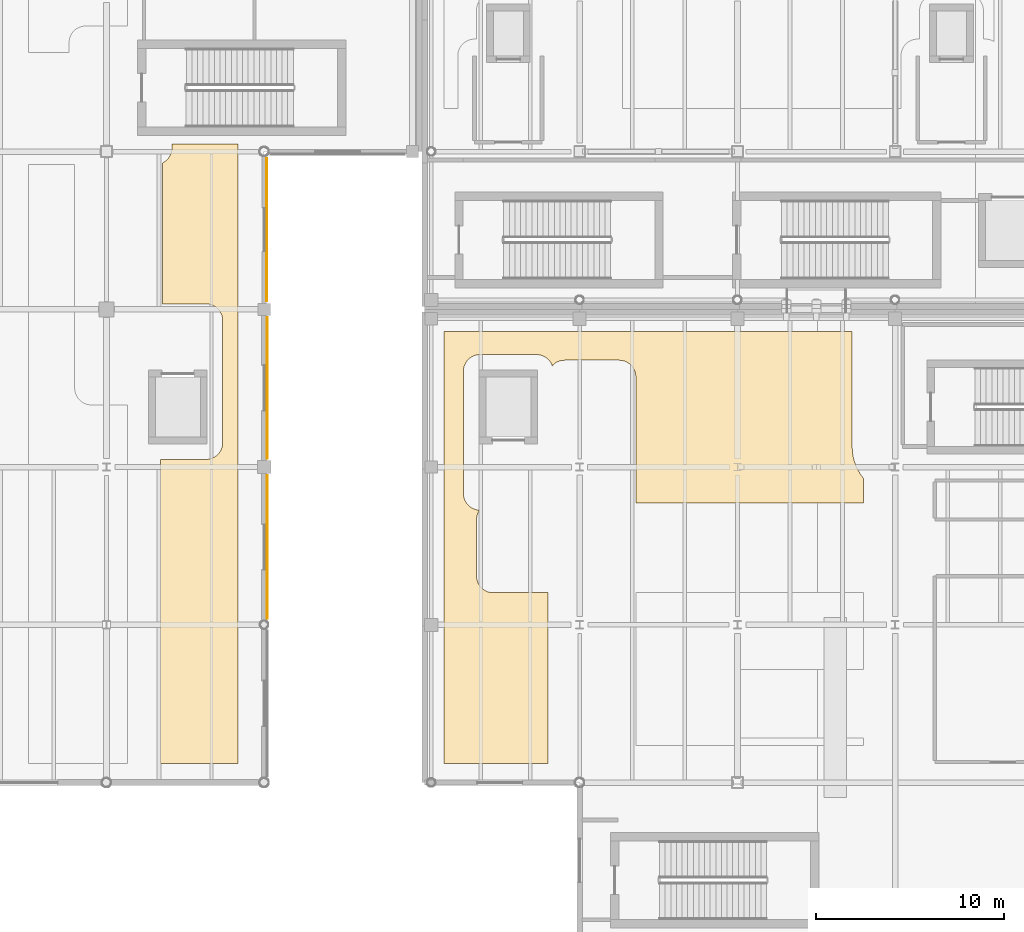
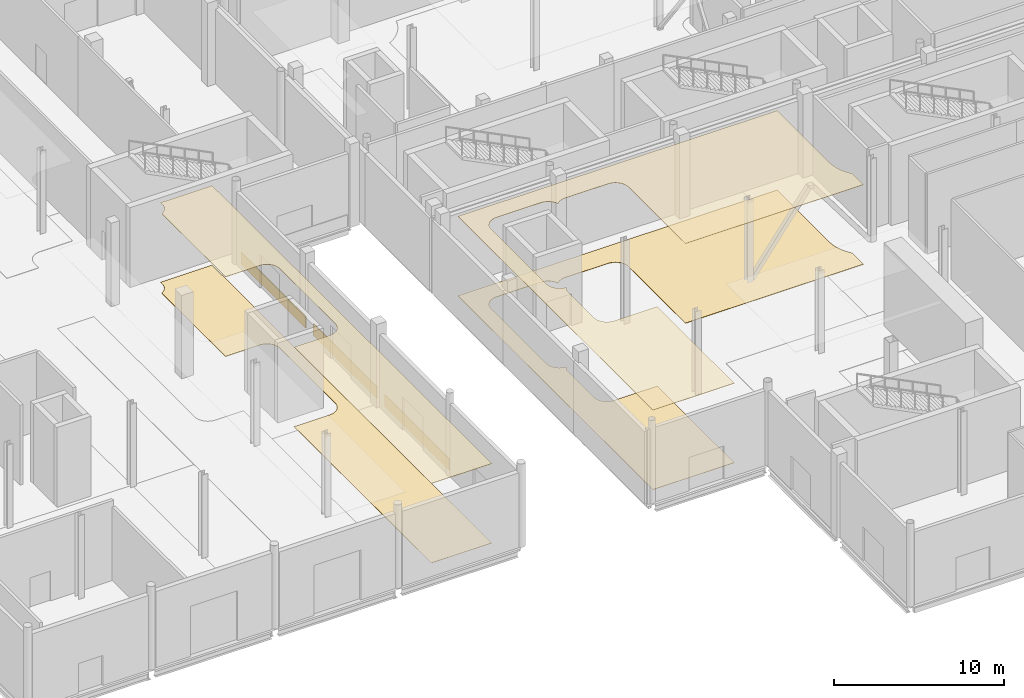
# One storey, part 71 of 85: 7 coverings.
"""IFC4 building model written with IfcOpenShell, lengths in metres."""

from ifc_helpers import new_model, si_unit, direction, frame, origin, origin_2d, place, context, subcontext, project, spatial, polyline, rectangle, outline, extrude, material, layer, layer_set, type_object, element, save


model = new_model("IFC4")

# Units and contexts
model_context = context("Model", 3, precision=1e-05, world=origin(), true_north=direction((0.0, 1.0)))
body_context = subcontext(model_context, "Body", "Model", "MODEL_VIEW")
ifc_project = project(units=[si_unit("LENGTHUNIT", "METRE"), si_unit("AREAUNIT", "SQUARE_METRE"), si_unit("VOLUMEUNIT", "CUBIC_METRE"), si_unit("PLANEANGLEUNIT", "RADIAN"), si_unit("MASSUNIT", "GRAM", prefix="KILO"), si_unit("THERMODYNAMICTEMPERATUREUNIT", "KELVIN")], contexts=[model_context])

# Site, building, storey
site_placement = place(None, origin())
site = spatial("IfcSite", under=ifc_project, at=site_placement, CompositionType="ELEMENT")
building_placement = place(site_placement, origin())
building = spatial("IfcBuilding", under=site, at=building_placement, Name="Lustrewick Department Store", CompositionType="ELEMENT")
storey_placement = place(building_placement, origin())
storey = spatial("IfcBuildingStorey", under=building, at=storey_placement, Name="L01", CompositionType="ELEMENT", Elevation=0.0)

# Coverings
ifc_material_1 = material(Name="Rusticated Fangshan cream limestone", Category="masonry")
ifc_layer_1 = layer(ifc_material_1, 0.050048828125, Name="Rusticated Fangshan cream limestone")
ifc_layer_set_1 = layer_set([ifc_layer_1], Name="Rusticated Fangshan cream limestone")
covering_type_1 = type_object("IfcCoveringType", Name="CLD-LIME", PredefinedType="CLADDING", material=ifc_layer_set_1)
covering_1_placement = place(storey_placement, frame((100.965087890625, 37.7392578125, 0.02490234375), z_axis=(0.0, 0.0, 1.0), x_axis=(0.0, 1.0, 0.0)))
element("IfcCovering", 1, at=covering_1_placement, inside=storey, type_object=covering_type_1, Name="L01 Limestone Plinth Band 022", PredefinedType="CLADDING", context=body_context, shape_type="SweptSolid", body=[
    extrude(rectangle(XDim=7.631591796875, YDim=0.050048828125, at=origin_2d()), origin(), (0.0, 0.0, 1.0), 0.85009765625),
])
covering_2_placement = place(storey_placement, frame((100.965087890625, 46.21240234375, 0.02490234375), z_axis=(0.0, 0.0, 1.0), x_axis=(0.0, 1.0, 0.0)))
element("IfcCovering", 2, at=covering_2_placement, inside=storey, type_object=covering_type_1, Name="L01 Limestone Plinth Band 023", PredefinedType="CLADDING", context=body_context, shape_type="SweptSolid", body=[
    extrude(rectangle(XDim=7.534912109375, YDim=0.050048828125, at=origin_2d()), origin(), (0.0, 0.0, 1.0), 0.85009765625),
])
covering_3_placement = place(storey_placement, frame((100.945068359375, 54.635498046875, 0.02490234375), z_axis=(0.0, 0.0, 1.0), x_axis=(0.0, 1.0, 0.0)))
element("IfcCovering", 3, at=covering_3_placement, inside=storey, type_object=covering_type_1, Name="L01 Limestone Plinth Band 024", PredefinedType="CLADDING", context=body_context, shape_type="SweptSolid", body=[
    extrude(rectangle(XDim=7.631103515625, YDim=0.050048828125, at=origin_2d()), origin(), (0.0, 0.0, 1.0), 0.85009765625),
])
ifc_material_2 = material(Name="Perforated mineral-fibre acoustic ceiling board", Category="gypsum")
ifc_layer_2 = layer(ifc_material_2, 0.02490234375, Name="Perforated mineral-fibre acoustic ceiling board")
ifc_layer_set_2 = layer_set([ifc_layer_2], Name="Perforated mineral-fibre acoustic ceiling board")
covering_type_2 = type_object("IfcCoveringType", Name="COV-CEIL", PredefinedType="CEILING", material=ifc_layer_set_2)
covering_4_placement = place(storey_placement, frame((0.0, 0.0, 5.719970703125)))
element("IfcCovering", 4, at=covering_4_placement, inside=storey, type_object=covering_type_2, Name="L01 V2 Merchandise Display Alcove 3 Acoustic Ceiling", PredefinedType="CEILING", context=body_context, shape_type="SweptSolid", body=[
    extrude(outline(polyline([(95.389892578125, 50.68994140625), (97.702880859375, 50.68994140625), (97.78759765625, 50.685791015625), (97.87158203125, 50.67333984375), (97.875, 50.672607421875), (97.892578125, 50.6689453125), (97.895751953125, 50.668212890625), (97.978515625, 50.6455078125), (98.05859375, 50.614501953125), (98.063720703125, 50.6123046875), (98.130615234375, 50.578857421875), (98.134521484375, 50.57666015625), (98.19580078125, 50.5390625), (98.25390625, 50.49658203125), (98.258544921875, 50.492919921875), (98.329345703125, 50.429443359375), (98.392822265625, 50.358642578125), (98.396484375, 50.35400390625), (98.439208984375, 50.2958984375), (98.476806640625, 50.234375), (98.47900390625, 50.23046875), (98.51220703125, 50.163818359375), (98.513427734375, 50.1611328125), (98.5146484375, 50.158447265625), (98.54541015625, 50.07861328125), (98.568115234375, 49.99560546875), (98.56884765625, 49.992431640625), (98.572509765625, 49.97509765625), (98.5732421875, 49.9716796875), (98.585693359375, 49.8876953125), (98.590087890625, 49.802978515625), (98.590087890625, 43.297119140625), (98.585693359375, 43.21240234375), (98.5732421875, 43.12841796875), (98.572509765625, 43.125), (98.56884765625, 43.107421875), (98.568115234375, 43.104248046875), (98.54541015625, 43.021484375), (98.5146484375, 42.94140625), (98.51220703125, 42.936279296875), (98.47900390625, 42.869384765625), (98.476806640625, 42.865478515625), (98.439208984375, 42.80419921875), (98.396484375, 42.74609375), (98.392822265625, 42.741455078125), (98.329345703125, 42.670654296875), (98.258544921875, 42.607177734375), (98.25390625, 42.603515625), (98.19580078125, 42.560791015625), (98.134521484375, 42.523193359375), (98.130615234375, 42.52099609375), (98.063720703125, 42.48779296875), (98.061279296875, 42.486572265625), (98.05859375, 42.4853515625), (97.978515625, 42.45458984375), (97.895751953125, 42.431884765625), (97.892578125, 42.43115234375), (97.875, 42.427490234375), (97.87158203125, 42.4267578125), (97.78759765625, 42.414306640625), (97.702880859375, 42.409912109375), (95.28271484375, 42.409912109375), (95.28271484375, 26.219970703125), (99.39501953125, 26.219970703125), (99.39501953125, 59.2099609375), (95.889892578125, 59.2099609375), (95.889892578125, 58.9970703125), (95.8857421875, 58.912353515625), (95.873291015625, 58.828369140625), (95.87255859375, 58.824951171875), (95.868896484375, 58.8076171875), (95.8681640625, 58.80419921875), (95.845458984375, 58.721435546875), (95.814697265625, 58.6416015625), (95.8134765625, 58.638916015625), (95.812255859375, 58.63623046875), (95.77880859375, 58.569580078125), (95.776611328125, 58.565673828125), (95.739013671875, 58.504150390625), (95.696533203125, 58.446044921875), (95.69287109375, 58.44140625), (95.62939453125, 58.37060546875), (95.55859375, 58.30712890625), (95.553955078125, 58.303466796875), (95.495849609375, 58.260986328125), (95.434326171875, 58.223388671875), (95.430419921875, 58.22119140625), (95.389892578125, 58.200927734375), (95.389892578125, 50.68994140625)])), origin(), (0.0, 0.0, 1.0), 0.025146484375),
])
covering_5_placement = place(storey_placement, frame((0.0, 0.0, 5.719970703125)))
element("IfcCovering", 5, at=covering_5_placement, inside=storey, type_object=covering_type_2, Name="L01 V3 Retail Merchandise Gallery 1 Acoustic Ceiling", PredefinedType="CEILING", context=body_context, shape_type="SweptSolid", body=[
    extrude(outline(polyline([(112.21240234375, 39.714111328125), (112.12841796875, 39.726806640625), (112.125, 39.727294921875), (112.107421875, 39.731201171875), (112.104248046875, 39.731689453125), (112.021484375, 39.75439453125), (111.94140625, 39.785400390625), (111.936279296875, 39.787841796875), (111.869384765625, 39.821044921875), (111.865478515625, 39.8232421875), (111.80419921875, 39.86083984375), (111.74609375, 39.903564453125), (111.741455078125, 39.906982421875), (111.670654296875, 39.970703125), (111.607177734375, 40.04150390625), (111.603515625, 40.0458984375), (111.560791015625, 40.10400390625), (111.523193359375, 40.16552734375), (111.52099609375, 40.16943359375), (111.48779296875, 40.236328125), (111.4853515625, 40.241455078125), (111.45458984375, 40.321533203125), (111.431884765625, 40.404296875), (111.43115234375, 40.407470703125), (111.427490234375, 40.425048828125), (111.4267578125, 40.428466796875), (111.414306640625, 40.51220703125), (111.409912109375, 40.596923828125), (111.409912109375, 47.10302734375), (111.414306640625, 47.187744140625), (111.4267578125, 47.271484375), (111.427490234375, 47.27490234375), (111.43115234375, 47.29248046875), (111.431884765625, 47.295654296875), (111.45458984375, 47.37841796875), (111.4853515625, 47.45849609375), (111.48779296875, 47.463623046875), (111.52099609375, 47.530517578125), (111.523193359375, 47.534423828125), (111.560791015625, 47.595947265625), (111.603515625, 47.654052734375), (111.607177734375, 47.65869140625), (111.670654296875, 47.7294921875), (111.741455078125, 47.79296875), (111.74609375, 47.79638671875), (111.80419921875, 47.839111328125), (111.865478515625, 47.876708984375), (111.869384765625, 47.87890625), (111.936279296875, 47.912109375), (111.94140625, 47.91455078125), (112.021484375, 47.945556640625), (112.104248046875, 47.96826171875), (112.107421875, 47.968994140625), (112.125, 47.97265625), (112.12841796875, 47.973388671875), (112.21240234375, 47.98583984375), (112.297119140625, 47.989990234375), (115.302978515625, 47.989990234375), (115.3876953125, 47.98583984375), (115.4716796875, 47.973388671875), (115.47509765625, 47.97265625), (115.492431640625, 47.968994140625), (115.49560546875, 47.96826171875), (115.57861328125, 47.945556640625), (115.658447265625, 47.91455078125), (115.663818359375, 47.912109375), (115.73046875, 47.87890625), (115.734375, 47.876708984375), (115.7958984375, 47.839111328125), (115.85400390625, 47.79638671875), (115.858642578125, 47.79296875), (115.929443359375, 47.7294921875), (115.992919921875, 47.65869140625), (115.99658203125, 47.654052734375), (116.0390625, 47.595947265625), (116.07666015625, 47.534423828125), (116.078857421875, 47.530517578125), (116.1123046875, 47.463623046875), (116.114501953125, 47.45849609375), (116.139404296875, 47.39453125), (116.170654296875, 47.429443359375), (116.241455078125, 47.492919921875), (116.24609375, 47.49658203125), (116.30419921875, 47.5390625), (116.365478515625, 47.57666015625), (116.369384765625, 47.578857421875), (116.436279296875, 47.6123046875), (116.44140625, 47.614501953125), (116.521484375, 47.6455078125), (116.604248046875, 47.668212890625), (116.607421875, 47.6689453125), (116.625, 47.672607421875), (116.62841796875, 47.67333984375), (116.71240234375, 47.685791015625), (116.797119140625, 47.68994140625), (119.702880859375, 47.68994140625), (119.78759765625, 47.685791015625), (119.87158203125, 47.67333984375), (119.875, 47.672607421875), (119.892578125, 47.6689453125), (119.895751953125, 47.668212890625), (119.978515625, 47.6455078125), (120.05859375, 47.614501953125), (120.063720703125, 47.6123046875), (120.130615234375, 47.578857421875), (120.134521484375, 47.57666015625), (120.19580078125, 47.5390625), (120.25390625, 47.49658203125), (120.258544921875, 47.492919921875), (120.329345703125, 47.429443359375), (120.392822265625, 47.358642578125), (120.396484375, 47.35400390625), (120.439208984375, 47.2958984375), (120.476806640625, 47.234375), (120.47900390625, 47.23046875), (120.51220703125, 47.163818359375), (120.513427734375, 47.1611328125), (120.5146484375, 47.158447265625), (120.54541015625, 47.07861328125), (120.568115234375, 46.99560546875), (120.56884765625, 46.992431640625), (120.572509765625, 46.97509765625), (120.5732421875, 46.9716796875), (120.585693359375, 46.8876953125), (120.590087890625, 46.802978515625), (120.590087890625, 40.090087890625), (132.7099609375, 40.090087890625), (132.7099609375, 41.407470703125), (132.694580078125, 41.4267578125), (132.58740234375, 41.5712890625), (132.5498046875, 41.626220703125), (132.54833984375, 41.628662109375), (132.540283203125, 41.64208984375), (132.44873046875, 41.79443359375), (132.43505859375, 41.818359375), (132.43359375, 41.821044921875), (132.408447265625, 41.869873046875), (132.332275390625, 42.03125), (132.323974609375, 42.049072265625), (132.32275390625, 42.0517578125), (132.299560546875, 42.10986328125), (132.2392578125, 42.278564453125), (132.2255859375, 42.3203125), (132.224609375, 42.322998046875), (132.21435546875, 42.3603515625), (132.1708984375, 42.533447265625), (132.162109375, 42.572998046875), (132.16162109375, 42.57568359375), (132.154296875, 42.617431640625), (132.128173828125, 42.7939453125), (132.123291015625, 42.83349609375), (132.123046875, 42.83642578125), (132.119873046875, 42.878662109375), (132.111083984375, 43.05712890625), (132.110107421875, 43.098388671875), (132.110107421875, 49.22998046875), (110.3701171875, 49.22998046875), (110.3701171875, 26.219970703125), (115.909912109375, 26.219970703125), (115.909912109375, 35.31005859375), (112.9970703125, 35.31005859375), (112.912353515625, 35.314208984375), (112.828369140625, 35.32666015625), (112.824951171875, 35.327392578125), (112.8076171875, 35.3310546875), (112.80419921875, 35.331787109375), (112.721435546875, 35.3544921875), (112.6416015625, 35.385498046875), (112.63623046875, 35.3876953125), (112.569580078125, 35.421142578125), (112.565673828125, 35.42333984375), (112.504150390625, 35.4609375), (112.446044921875, 35.50341796875), (112.44140625, 35.507080078125), (112.37060546875, 35.570556640625), (112.30712890625, 35.641357421875), (112.303466796875, 35.64599609375), (112.260986328125, 35.7041015625), (112.223388671875, 35.765625), (112.22119140625, 35.76953125), (112.187744140625, 35.836181640625), (112.1865234375, 35.8388671875), (112.185302734375, 35.841552734375), (112.154541015625, 35.92138671875), (112.1318359375, 36.00439453125), (112.131103515625, 36.007568359375), (112.12744140625, 36.02490234375), (112.126708984375, 36.0283203125), (112.1142578125, 36.1123046875), (112.110107421875, 36.197021484375), (112.110107421875, 39.202880859375), (112.1142578125, 39.28759765625), (112.126708984375, 39.37158203125), (112.12744140625, 39.375), (112.131103515625, 39.392578125), (112.1318359375, 39.395751953125), (112.154541015625, 39.478515625), (112.185302734375, 39.55859375), (112.1865234375, 39.561279296875), (112.187744140625, 39.563720703125), (112.22119140625, 39.630615234375), (112.223388671875, 39.634521484375), (112.260986328125, 39.69580078125), (112.272216796875, 39.711181640625), (112.21240234375, 39.714111328125)])), origin(), (0.0, 0.0, 1.0), 0.025146484375),
])
ifc_material_3 = material(Name="Polished terrazzo and porcelain floor finish", Category="masonry")
ifc_layer_3 = layer(ifc_material_3, 0.02001953125, Name="Polished terrazzo and porcelain floor finish")
ifc_layer_set_3 = layer_set([ifc_layer_3], Name="Polished terrazzo and porcelain floor finish")
covering_type_3 = type_object("IfcCoveringType", Name="COV-FLR", PredefinedType="FLOORING", material=ifc_layer_set_3)
covering_6_placement = place(storey_placement, origin())
element("IfcCovering", 6, at=covering_6_placement, inside=storey, type_object=covering_type_3, Name="L01 V2 Merchandise Display Alcove 3 Terrazzo Flooring", PredefinedType="FLOORING", context=body_context, shape_type="SweptSolid", body=[
    extrude(outline(polyline([(95.389892578125, 50.68994140625), (97.702880859375, 50.68994140625), (97.78759765625, 50.685791015625), (97.87158203125, 50.67333984375), (97.875, 50.672607421875), (97.892578125, 50.6689453125), (97.895751953125, 50.668212890625), (97.978515625, 50.6455078125), (98.05859375, 50.614501953125), (98.063720703125, 50.6123046875), (98.130615234375, 50.578857421875), (98.134521484375, 50.57666015625), (98.19580078125, 50.5390625), (98.25390625, 50.49658203125), (98.258544921875, 50.492919921875), (98.329345703125, 50.429443359375), (98.392822265625, 50.358642578125), (98.396484375, 50.35400390625), (98.439208984375, 50.2958984375), (98.476806640625, 50.234375), (98.47900390625, 50.23046875), (98.51220703125, 50.163818359375), (98.513427734375, 50.1611328125), (98.5146484375, 50.158447265625), (98.54541015625, 50.07861328125), (98.568115234375, 49.99560546875), (98.56884765625, 49.992431640625), (98.572509765625, 49.97509765625), (98.5732421875, 49.9716796875), (98.585693359375, 49.8876953125), (98.590087890625, 49.802978515625), (98.590087890625, 43.297119140625), (98.585693359375, 43.21240234375), (98.5732421875, 43.12841796875), (98.572509765625, 43.125), (98.56884765625, 43.107421875), (98.568115234375, 43.104248046875), (98.54541015625, 43.021484375), (98.5146484375, 42.94140625), (98.51220703125, 42.936279296875), (98.47900390625, 42.869384765625), (98.476806640625, 42.865478515625), (98.439208984375, 42.80419921875), (98.396484375, 42.74609375), (98.392822265625, 42.741455078125), (98.329345703125, 42.670654296875), (98.258544921875, 42.607177734375), (98.25390625, 42.603515625), (98.19580078125, 42.560791015625), (98.134521484375, 42.523193359375), (98.130615234375, 42.52099609375), (98.063720703125, 42.48779296875), (98.061279296875, 42.486572265625), (98.05859375, 42.4853515625), (97.978515625, 42.45458984375), (97.895751953125, 42.431884765625), (97.892578125, 42.43115234375), (97.875, 42.427490234375), (97.87158203125, 42.4267578125), (97.78759765625, 42.414306640625), (97.702880859375, 42.409912109375), (95.28271484375, 42.409912109375), (95.28271484375, 26.219970703125), (99.39501953125, 26.219970703125), (99.39501953125, 59.2099609375), (95.889892578125, 59.2099609375), (95.889892578125, 58.9970703125), (95.8857421875, 58.912353515625), (95.873291015625, 58.828369140625), (95.87255859375, 58.824951171875), (95.868896484375, 58.8076171875), (95.8681640625, 58.80419921875), (95.845458984375, 58.721435546875), (95.814697265625, 58.6416015625), (95.8134765625, 58.638916015625), (95.812255859375, 58.63623046875), (95.77880859375, 58.569580078125), (95.776611328125, 58.565673828125), (95.739013671875, 58.504150390625), (95.696533203125, 58.446044921875), (95.69287109375, 58.44140625), (95.62939453125, 58.37060546875), (95.55859375, 58.30712890625), (95.553955078125, 58.303466796875), (95.495849609375, 58.260986328125), (95.434326171875, 58.223388671875), (95.430419921875, 58.22119140625), (95.389892578125, 58.200927734375), (95.389892578125, 50.68994140625)])), origin(), (0.0, 0.0, 1.0), 0.02001953125),
])
covering_7_placement = place(storey_placement, origin())
element("IfcCovering", 7, at=covering_7_placement, inside=storey, type_object=covering_type_3, Name="L01 V3 Retail Merchandise Gallery 1 Terrazzo Flooring", PredefinedType="FLOORING", context=body_context, shape_type="SweptSolid", body=[
    extrude(outline(polyline([(112.21240234375, 39.714111328125), (112.12841796875, 39.726806640625), (112.125, 39.727294921875), (112.107421875, 39.731201171875), (112.104248046875, 39.731689453125), (112.021484375, 39.75439453125), (111.94140625, 39.785400390625), (111.936279296875, 39.787841796875), (111.869384765625, 39.821044921875), (111.865478515625, 39.8232421875), (111.80419921875, 39.86083984375), (111.74609375, 39.903564453125), (111.741455078125, 39.906982421875), (111.670654296875, 39.970703125), (111.607177734375, 40.04150390625), (111.603515625, 40.0458984375), (111.560791015625, 40.10400390625), (111.523193359375, 40.16552734375), (111.52099609375, 40.16943359375), (111.48779296875, 40.236328125), (111.4853515625, 40.241455078125), (111.45458984375, 40.321533203125), (111.431884765625, 40.404296875), (111.43115234375, 40.407470703125), (111.427490234375, 40.425048828125), (111.4267578125, 40.428466796875), (111.414306640625, 40.51220703125), (111.409912109375, 40.596923828125), (111.409912109375, 47.10302734375), (111.414306640625, 47.187744140625), (111.4267578125, 47.271484375), (111.427490234375, 47.27490234375), (111.43115234375, 47.29248046875), (111.431884765625, 47.295654296875), (111.45458984375, 47.37841796875), (111.4853515625, 47.45849609375), (111.48779296875, 47.463623046875), (111.52099609375, 47.530517578125), (111.523193359375, 47.534423828125), (111.560791015625, 47.595947265625), (111.603515625, 47.654052734375), (111.607177734375, 47.65869140625), (111.670654296875, 47.7294921875), (111.741455078125, 47.79296875), (111.74609375, 47.79638671875), (111.80419921875, 47.839111328125), (111.865478515625, 47.876708984375), (111.869384765625, 47.87890625), (111.936279296875, 47.912109375), (111.94140625, 47.91455078125), (112.021484375, 47.945556640625), (112.104248046875, 47.96826171875), (112.107421875, 47.968994140625), (112.125, 47.97265625), (112.12841796875, 47.973388671875), (112.21240234375, 47.98583984375), (112.297119140625, 47.989990234375), (115.302978515625, 47.989990234375), (115.3876953125, 47.98583984375), (115.4716796875, 47.973388671875), (115.47509765625, 47.97265625), (115.492431640625, 47.968994140625), (115.49560546875, 47.96826171875), (115.57861328125, 47.945556640625), (115.658447265625, 47.91455078125), (115.663818359375, 47.912109375), (115.73046875, 47.87890625), (115.734375, 47.876708984375), (115.7958984375, 47.839111328125), (115.85400390625, 47.79638671875), (115.858642578125, 47.79296875), (115.929443359375, 47.7294921875), (115.992919921875, 47.65869140625), (115.99658203125, 47.654052734375), (116.0390625, 47.595947265625), (116.07666015625, 47.534423828125), (116.078857421875, 47.530517578125), (116.1123046875, 47.463623046875), (116.114501953125, 47.45849609375), (116.139404296875, 47.39453125), (116.170654296875, 47.429443359375), (116.241455078125, 47.492919921875), (116.24609375, 47.49658203125), (116.30419921875, 47.5390625), (116.365478515625, 47.57666015625), (116.369384765625, 47.578857421875), (116.436279296875, 47.6123046875), (116.44140625, 47.614501953125), (116.521484375, 47.6455078125), (116.604248046875, 47.668212890625), (116.607421875, 47.6689453125), (116.625, 47.672607421875), (116.62841796875, 47.67333984375), (116.71240234375, 47.685791015625), (116.797119140625, 47.68994140625), (119.702880859375, 47.68994140625), (119.78759765625, 47.685791015625), (119.87158203125, 47.67333984375), (119.875, 47.672607421875), (119.892578125, 47.6689453125), (119.895751953125, 47.668212890625), (119.978515625, 47.6455078125), (120.05859375, 47.614501953125), (120.063720703125, 47.6123046875), (120.130615234375, 47.578857421875), (120.134521484375, 47.57666015625), (120.19580078125, 47.5390625), (120.25390625, 47.49658203125), (120.258544921875, 47.492919921875), (120.329345703125, 47.429443359375), (120.392822265625, 47.358642578125), (120.396484375, 47.35400390625), (120.439208984375, 47.2958984375), (120.476806640625, 47.234375), (120.47900390625, 47.23046875), (120.51220703125, 47.163818359375), (120.513427734375, 47.1611328125), (120.5146484375, 47.158447265625), (120.54541015625, 47.07861328125), (120.568115234375, 46.99560546875), (120.56884765625, 46.992431640625), (120.572509765625, 46.97509765625), (120.5732421875, 46.9716796875), (120.585693359375, 46.8876953125), (120.590087890625, 46.802978515625), (120.590087890625, 40.090087890625), (132.7099609375, 40.090087890625), (132.7099609375, 41.407470703125), (132.694580078125, 41.4267578125), (132.58740234375, 41.5712890625), (132.5498046875, 41.626220703125), (132.54833984375, 41.628662109375), (132.540283203125, 41.64208984375), (132.44873046875, 41.79443359375), (132.43505859375, 41.818359375), (132.43359375, 41.821044921875), (132.408447265625, 41.869873046875), (132.332275390625, 42.03125), (132.323974609375, 42.049072265625), (132.32275390625, 42.0517578125), (132.299560546875, 42.10986328125), (132.2392578125, 42.278564453125), (132.2255859375, 42.3203125), (132.224609375, 42.322998046875), (132.21435546875, 42.3603515625), (132.1708984375, 42.533447265625), (132.162109375, 42.572998046875), (132.16162109375, 42.57568359375), (132.154296875, 42.617431640625), (132.128173828125, 42.7939453125), (132.123291015625, 42.83349609375), (132.123046875, 42.83642578125), (132.119873046875, 42.878662109375), (132.111083984375, 43.05712890625), (132.110107421875, 43.098388671875), (132.110107421875, 49.22998046875), (110.3701171875, 49.22998046875), (110.3701171875, 26.219970703125), (115.909912109375, 26.219970703125), (115.909912109375, 35.31005859375), (112.9970703125, 35.31005859375), (112.912353515625, 35.314208984375), (112.828369140625, 35.32666015625), (112.824951171875, 35.327392578125), (112.8076171875, 35.3310546875), (112.80419921875, 35.331787109375), (112.721435546875, 35.3544921875), (112.6416015625, 35.385498046875), (112.63623046875, 35.3876953125), (112.569580078125, 35.421142578125), (112.565673828125, 35.42333984375), (112.504150390625, 35.4609375), (112.446044921875, 35.50341796875), (112.44140625, 35.507080078125), (112.37060546875, 35.570556640625), (112.30712890625, 35.641357421875), (112.303466796875, 35.64599609375), (112.260986328125, 35.7041015625), (112.223388671875, 35.765625), (112.22119140625, 35.76953125), (112.187744140625, 35.836181640625), (112.1865234375, 35.8388671875), (112.185302734375, 35.841552734375), (112.154541015625, 35.92138671875), (112.1318359375, 36.00439453125), (112.131103515625, 36.007568359375), (112.12744140625, 36.02490234375), (112.126708984375, 36.0283203125), (112.1142578125, 36.1123046875), (112.110107421875, 36.197021484375), (112.110107421875, 39.202880859375), (112.1142578125, 39.28759765625), (112.126708984375, 39.37158203125), (112.12744140625, 39.375), (112.131103515625, 39.392578125), (112.1318359375, 39.395751953125), (112.154541015625, 39.478515625), (112.185302734375, 39.55859375), (112.1865234375, 39.561279296875), (112.187744140625, 39.563720703125), (112.22119140625, 39.630615234375), (112.223388671875, 39.634521484375), (112.260986328125, 39.69580078125), (112.272216796875, 39.711181640625), (112.21240234375, 39.714111328125)])), origin(), (0.0, 0.0, 1.0), 0.02001953125),
])

save(model, "model.ifc")
